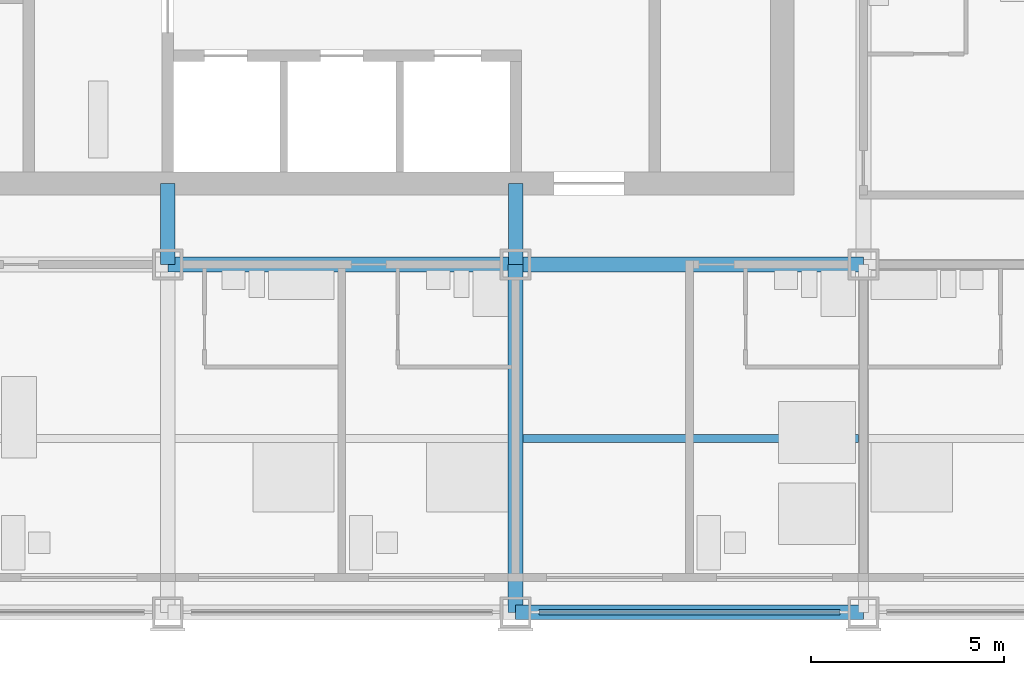
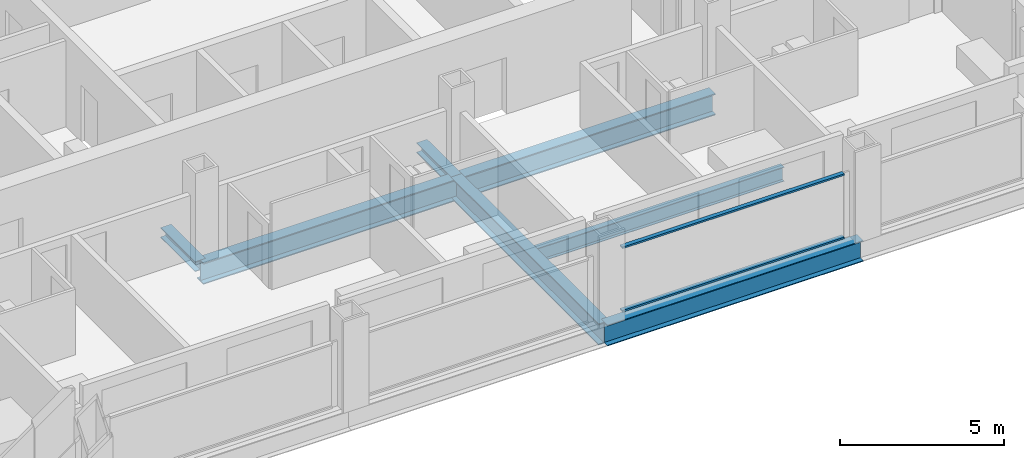
# One storey, part 3 of 16: 5 beams, 4 members, 1 element without a shape of its own.
"""IFC4 building model written with IfcOpenShell, lengths in metres."""

from ifc_helpers import new_model, si_unit, direction, frame, origin, origin_2d, place, context, subcontext, project, spatial, rectangle, i_section, extrude, material, material_profile, profile_set, type_object, element, aggregate, save


model = new_model("IFC4")

# Units and contexts
model_context = context("Model", 3, precision=1e-05, world=origin(), true_north=direction((0.0, 1.0)))
body_context = subcontext(model_context, "Body", "Model", "MODEL_VIEW")
ifc_project = project(units=[si_unit("LENGTHUNIT", "METRE"), si_unit("AREAUNIT", "SQUARE_METRE"), si_unit("VOLUMEUNIT", "CUBIC_METRE"), si_unit("PLANEANGLEUNIT", "RADIAN"), si_unit("MASSUNIT", "GRAM", prefix="KILO")], contexts=[model_context])

# Site, building, storey
site_placement = place(None, origin())
site = spatial("IfcSite", under=ifc_project, at=site_placement, CompositionType="ELEMENT")
building_placement = place(site_placement, origin())
building = spatial("IfcBuilding", under=site, at=building_placement, Name="Loomwork Tower", CompositionType="ELEMENT")
storey_placement = place(building_placement, frame((0.0, 0.0, 104.39990234375)))
storey = spatial("IfcBuildingStorey", under=building, at=storey_placement, Name="L27", CompositionType="ELEMENT", Elevation=104.39990234375)

# Beams
ifc_material_1 = material(Name="Steel ASTM A992", Category="steel")
ifc_material_profile_1 = material_profile(ifc_material_1, i_section(OverallWidth=0.383544921875, OverallDepth=0.794921875, WebThickness=0.02099609375, FlangeThickness=0.0380859375, at=origin_2d()), Name="W30x235")
ifc_profile_set_1 = profile_set([ifc_material_profile_1], Name="Steel ASTM A992")
beam_type_1 = type_object("IfcBeamType", Name="CORE FLANK GIRDER W30x235", PredefinedType="BEAM", material=ifc_profile_set_1)
for number, where, z_axis, x_axis, name in (
    (1, (18.0, 9.0, -0.597412109375), (1.0, 0.0, 0.0), (0.0, 1.0, 0.0), "Core Flank Girder E/4-E/5 L27"),
    (2, (27.0, 9.0, -0.597412109375), (1.0, 0.0, 0.0), (0.0, 1.0, 0.0), "Core Flank Girder E/5-E/6 L27"),
    (3, (27.0, 0.0, -0.597412109375), (0.0, 1.0, 0.0), (-1.0, 0.0, 0.0), "Core Flank Girder D/5-E/5 L27"),
):
    element("IfcBeam", number, at=place(storey_placement, frame(where, z_axis=z_axis, x_axis=x_axis)), inside=storey, type_object=beam_type_1, Name=name, PredefinedType="BEAM", context=body_context, shape_type="SweptSolid", body=[
        extrude(i_section(OverallWidth=0.383544921875, OverallDepth=0.794921875, WebThickness=0.02099609375, FlangeThickness=0.0380859375, at=origin_2d()), origin(), (0.0, 0.0, 1.0), 9.0),
    ])

# Members
ifc_material_2 = material(Name="Steel ASTM A992", Category="steel")
ifc_material_profile_2 = material_profile(ifc_material_2, i_section(OverallWidth=0.373291015625, OverallDepth=0.373291015625, WebThickness=0.016357421875, FlangeThickness=0.026123046875, at=origin_2d()), Name="W14x132")
ifc_profile_set_2 = profile_set([ifc_material_profile_2], Name="Steel ASTM A992")
member_type_1 = type_object("IfcMemberType", Name="CORE LINK STRUT W14x132", PredefinedType="STRUT", material=ifc_profile_set_2)
for number, where, z_axis, x_axis, name in (
    (4, (27.0, 9.0, -0.386474609375), (0.0, 1.0, 0.0), (-1.0, 0.0, 0.0), "Core link strut E/5-27.000,11.100 L27"),
    (5, (18.0, 9.0, -0.386474609375), (0.0, 1.0, 0.0), (-1.0, 0.0, 0.0), "Core link strut E/4-18.000,11.100 L27"),
):
    element("IfcMember", number, at=place(storey_placement, frame(where, z_axis=z_axis, x_axis=x_axis)), inside=storey, type_object=member_type_1, Name=name, PredefinedType="STRUT", context=body_context, shape_type="SweptSolid", body=[
        extrude(i_section(OverallWidth=0.373291015625, OverallDepth=0.373291015625, WebThickness=0.016357421875, FlangeThickness=0.026123046875, at=origin_2d()), origin(), (0.0, 0.0, 1.0), 2.10009765625),
    ])

# Beam
ifc_material_3 = material(Name="Steel ASTM A992", Category="steel")
ifc_material_profile_3 = material_profile(ifc_material_3, i_section(OverallWidth=0.2109375, OverallDepth=0.53857421875, WebThickness=0.011474609375, FlangeThickness=0.018798828125, at=origin_2d()), Name="W21x73")
ifc_profile_set_3 = profile_set([ifc_material_profile_3], Name="Steel ASTM A992")
beam_type_2 = type_object("IfcBeamType", Name="FLOOR JOIST W21x73", PredefinedType="JOIST", material=ifc_profile_set_3)
beam_1_placement = place(storey_placement, frame((27.19091796875, 4.5, -0.46923828125), z_axis=(1.0, 0.0, 0.0), x_axis=(0.0, 1.0, 0.0)))
element("IfcBeam", 6, at=beam_1_placement, inside=storey, type_object=beam_type_2, Name="Floor Joist 27.000,4.500-36.000,4.500 L27", PredefinedType="JOIST", context=body_context, shape_type="SweptSolid", body=[
    extrude(i_section(OverallWidth=0.2109375, OverallDepth=0.53857421875, WebThickness=0.011474609375, FlangeThickness=0.018798828125, at=origin_2d()), origin(), (0.0, 0.0, 1.0), 8.676025390625),
])

# Curtain wall, members
ifc_material_4 = material(Name="Aluminium curtain wall frame", Category="aluminium")
curtain_wall_type = type_object("IfcCurtainWallType", Name="Outer skin glazing hotel", PredefinedType="NOTDEFINED", material=ifc_material_4)
curtain_wall_placement = place(storey_placement, origin())
curtain_wall = element("IfcCurtainWall", 7, at=curtain_wall_placement, inside=storey, type_object=curtain_wall_type, Name="Outer skin glazing hotel cw/S-27", PredefinedType="NOTDEFINED")
ifc_material_5 = material(Name="Aluminium curtain wall frame", Category="aluminium")
ifc_material_profile_4 = material_profile(ifc_material_5, rectangle(XDim=0.14990234375, YDim=0.06494140625, at=origin_2d()), Name="AL 65x150")
ifc_profile_set_4 = profile_set([ifc_material_profile_4], Name="Aluminium curtain wall frame")
member_type_2 = type_object("IfcMemberType", Name="Outer skin glazing hotel transom", PredefinedType="USERDEFINED", material=ifc_profile_set_4)
member_1_placement = place(storey_placement, frame((27.60009765625, 0.0, 0.03271484375), z_axis=(1.0, 0.0, 0.0), x_axis=(0.0, 1.0, 0.0)))
member_1 = element("IfcMember", 8, at=member_1_placement, type_object=member_type_2, Name="CW1 transom 1.1", ObjectType="TRANSOM", PredefinedType="USERDEFINED", context=body_context, shape_type="SweptSolid", body=[
    extrude(rectangle(XDim=0.14990234375, YDim=0.06494140625, at=origin_2d()), origin(), (0.0, 0.0, 1.0), 7.7998046875),
])
member_2_placement = place(storey_placement, frame((27.60009765625, 0.0, 2.3876953125), z_axis=(1.0, 0.0, 0.0), x_axis=(0.0, 1.0, 0.0)))
member_2 = element("IfcMember", 9, at=member_2_placement, type_object=member_type_2, Name="CW1 transom 1.2", ObjectType="TRANSOM", PredefinedType="USERDEFINED", context=body_context, shape_type="SweptSolid", body=[
    extrude(rectangle(XDim=0.14990234375, YDim=0.06494140625, at=origin_2d()), origin(), (0.0, 0.0, 1.0), 7.7998046875),
])
aggregate(curtain_wall, [member_1, member_2])

# Beam
ifc_material_6 = material(Name="Steel ASTM A992", Category="steel")
ifc_material_profile_5 = material_profile(ifc_material_6, i_section(OverallWidth=0.381103515625, OverallDepth=0.77978515625, WebThickness=0.01806640625, FlangeThickness=0.0302734375, at=origin_2d()), Name="W30x191")
ifc_profile_set_5 = profile_set([ifc_material_profile_5], Name="Steel ASTM A992")
beam_type_3 = type_object("IfcBeamType", Name="SPANDREL GIRDER W30x191", PredefinedType="SPANDREL", material=ifc_profile_set_5)
beam_2_placement = place(storey_placement, frame((27.0, 0.0, -0.58984375), z_axis=(1.0, 0.0, 0.0), x_axis=(0.0, 1.0, 0.0)))
element("IfcBeam", 10, at=beam_2_placement, inside=storey, type_object=beam_type_3, Name="Spandrel Girder D/5-D/6 L27", PredefinedType="SPANDREL", context=body_context, shape_type="SweptSolid", body=[
    extrude(i_section(OverallWidth=0.381103515625, OverallDepth=0.77978515625, WebThickness=0.01806640625, FlangeThickness=0.0302734375, at=origin_2d()), origin(), (0.0, 0.0, 1.0), 9.0),
])

save(model, "model.ifc")
